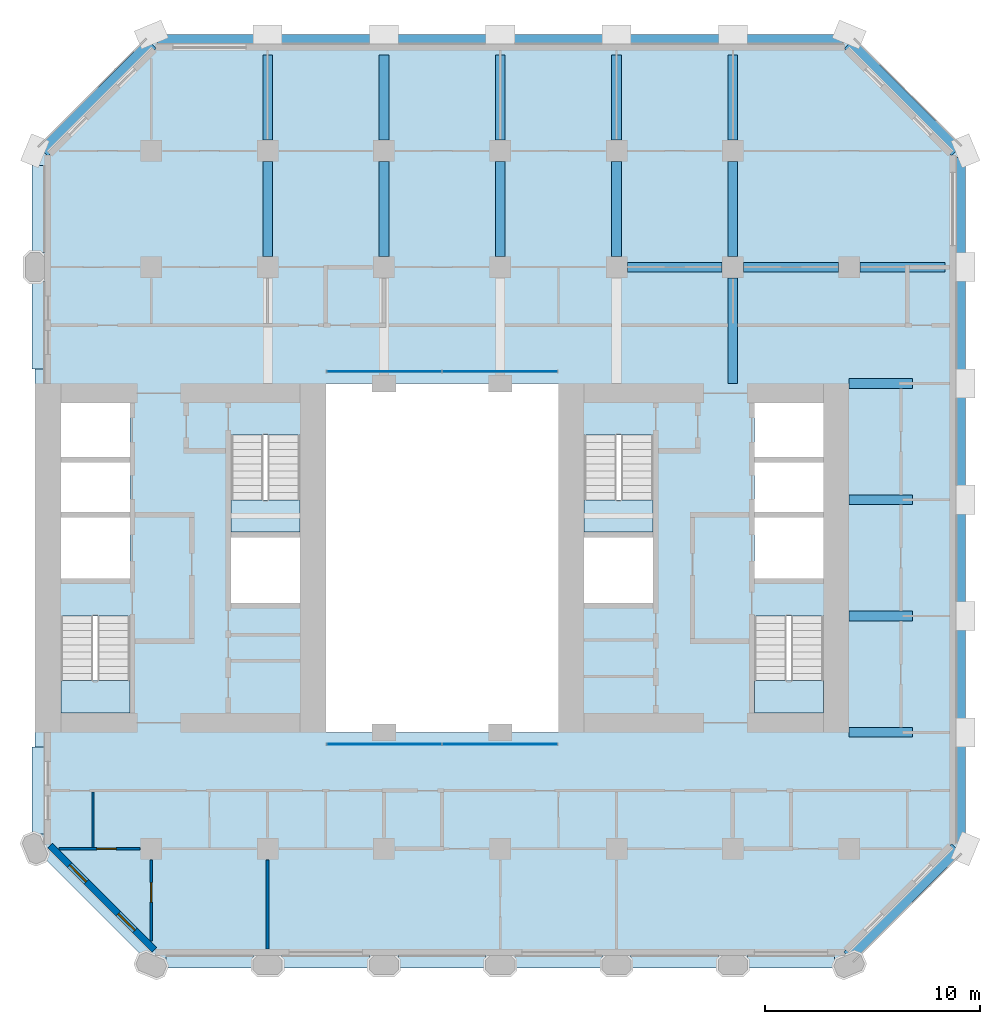
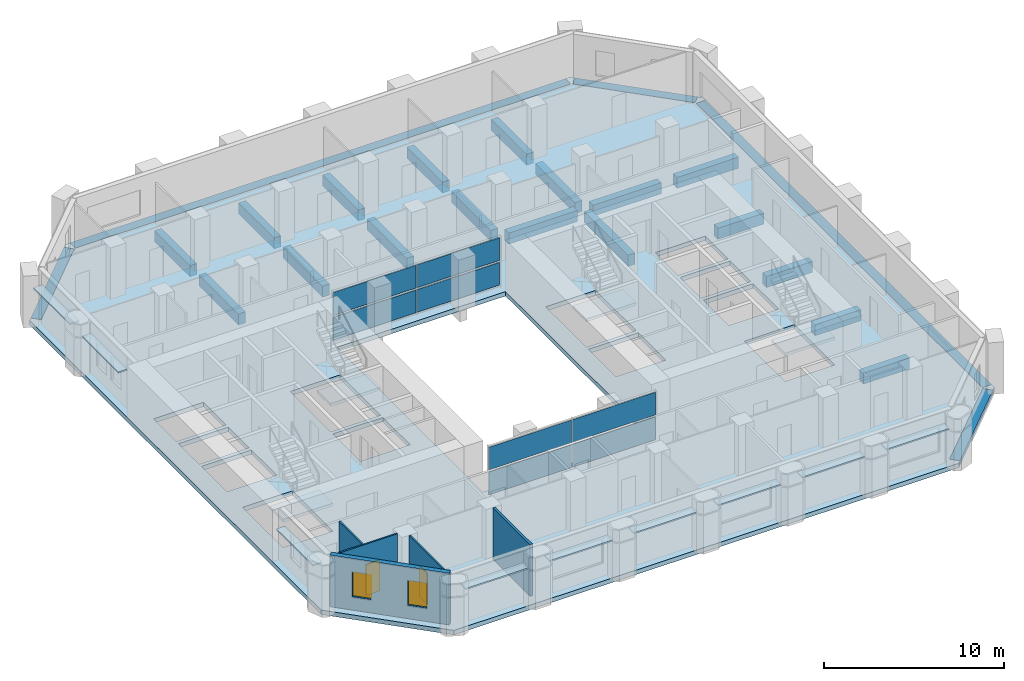
# One storey, part 3 of 10: 23 beams, 17 plates, 5 slabs, 5 walls, 2 doors, 2 windows, 4 openings, 6 elements without a shape of their own.
"""IFC4 building model written with IfcOpenShell, lengths in metres."""

from ifc_helpers import new_model, si_unit, direction, frame, frame_2d, origin, origin_2d, place, context, subcontext, project, spatial, polyline, rectangle, outline, extrude, material, layer, layer_set, material_profile, profile_set, type_object, element, fill, aggregate, save


model = new_model("IFC4")

# Units and contexts
model_context = context("Model", 3, precision=1e-05, world=origin(), true_north=direction((0.0, 1.0)))
body_context = subcontext(model_context, "Body", "Model", "MODEL_VIEW")
ifc_project = project(units=[si_unit("LENGTHUNIT", "METRE"), si_unit("AREAUNIT", "SQUARE_METRE"), si_unit("VOLUMEUNIT", "CUBIC_METRE"), si_unit("PLANEANGLEUNIT", "RADIAN"), si_unit("MASSUNIT", "GRAM", prefix="KILO")], contexts=[model_context])

# Site, building, storey
site_placement = place(None, origin())
site = spatial("IfcSite", under=ifc_project, at=site_placement, CompositionType="ELEMENT")
building_placement = place(site_placement, origin())
building = spatial("IfcBuilding", under=site, at=building_placement, Name="Tabaq Tower and Sports Hall", CompositionType="ELEMENT")
storey_placement = place(building_placement, frame((0.0, 0.0, 68.800048828125)))
storey = spatial("IfcBuildingStorey", under=building, at=storey_placement, Name="L15", CompositionType="ELEMENT", Elevation=68.800048828125)

# Beams
ifc_material_1 = material(Name="Concrete C40/50", Category="concrete")
ifc_material_profile_1 = material_profile(ifc_material_1, rectangle(XDim=0.449951171875, YDim=0.75, at=origin_2d()), Name="CB 450x750")
ifc_profile_set_1 = profile_set([ifc_material_profile_1], Name="Concrete C40/50")
beam_type_1 = type_object("IfcBeamType", Name="PT CANTILEVER BEAM CB 450x750 C40/50", PredefinedType="BEAM", material=ifc_profile_set_1)
for number, where, z_axis, x_axis, name in (
    (1, (46.14990234375, 16.199951171875, -0.675048828125), (-1.0, 0.0, 0.0), (0.0, -1.0, 0.0), "Cantilever Beam L15 E3 span 1"),
    (2, (46.14990234375, 21.60009765625, -0.675048828125), (-1.0, 0.0, 0.0), (0.0, -1.0, 0.0), "Cantilever Beam L15 E4 span 1"),
    (3, (46.14990234375, 27.0, -0.675048828125), (-1.0, 0.0, 0.0), (0.0, -1.0, 0.0), "Cantilever Beam L15 E5 span 1"),
    (4, (46.14990234375, 32.39990234375, -0.675048828125), (-1.0, 0.0, 0.0), (0.0, -1.0, 0.0), "Cantilever Beam L15 E6 span 1"),
):
    element("IfcBeam", number, at=place(storey_placement, frame(where, z_axis=z_axis, x_axis=x_axis)), inside=storey, type_object=beam_type_1, Name=name, PredefinedType="BEAM", context=body_context, shape_type="SweptSolid", body=[
        extrude(rectangle(XDim=0.449951171875, YDim=0.75, at=origin_2d()), origin(), (0.0, 0.0, 1.0), 2.949951171875),
    ])
beam_1_placement = place(storey_placement, frame((47.64990234375, 37.800048828125, -0.675048828125), z_axis=(-1.0, 0.0, 0.0), x_axis=(0.0, -1.0, 0.0)))
element("IfcBeam", 5, at=beam_1_placement, inside=storey, type_object=beam_type_1, Name="Cantilever Beam L15 E7 span 1", PredefinedType="BEAM", context=body_context, shape_type="SweptSolid", body=[
    extrude(rectangle(XDim=0.449951171875, YDim=0.75, at=origin_2d()), origin(), (0.0, 0.0, 1.0), 3.949951171875),
])
beam_2_placement = place(storey_placement, frame((42.699951171875, 37.800048828125, -0.675048828125), z_axis=(-1.0, 0.0, 0.0), x_axis=(0.0, -1.0, 0.0)))
element("IfcBeam", 6, at=beam_2_placement, inside=storey, type_object=beam_type_1, Name="Cantilever Beam L15 E7 span 2", PredefinedType="BEAM", context=body_context, shape_type="SweptSolid", body=[
    extrude(rectangle(XDim=0.449951171875, YDim=0.75, at=origin_2d()), origin(), (0.0, 0.0, 1.0), 4.39990234375),
])
beam_3_placement = place(storey_placement, frame((37.300048828125, 37.800048828125, -0.675048828125), z_axis=(-1.0, 0.0, 0.0), x_axis=(0.0, -1.0, 0.0)))
element("IfcBeam", 7, at=beam_3_placement, inside=storey, type_object=beam_type_1, Name="Cantilever Beam L15 E7 span 3", PredefinedType="BEAM", context=body_context, shape_type="SweptSolid", body=[
    extrude(rectangle(XDim=0.449951171875, YDim=0.75, at=origin_2d()), origin(), (0.0, 0.0, 1.0), 4.400146484375),
])
beam_4_placement = place(storey_placement, frame((16.199951171875, 47.64990234375, -0.675048828125), z_axis=(0.0, -1.0, 0.0), x_axis=(1.0, 0.0, 0.0)))
element("IfcBeam", 8, at=beam_4_placement, inside=storey, type_object=beam_type_1, Name="Cantilever Beam L15 N3 span 1", PredefinedType="BEAM", context=body_context, shape_type="SweptSolid", body=[
    extrude(rectangle(XDim=0.449951171875, YDim=0.75, at=origin_2d()), origin(), (0.0, 0.0, 1.0), 3.949951171875),
])
beam_5_placement = place(storey_placement, frame((16.199951171875, 42.699951171875, -0.675048828125), z_axis=(0.0, -1.0, 0.0), x_axis=(1.0, 0.0, 0.0)))
element("IfcBeam", 9, at=beam_5_placement, inside=storey, type_object=beam_type_1, Name="Cantilever Beam L15 N3 span 2", PredefinedType="BEAM", context=body_context, shape_type="SweptSolid", body=[
    extrude(rectangle(XDim=0.449951171875, YDim=0.75, at=origin_2d()), origin(), (0.0, 0.0, 1.0), 4.39990234375),
])
beam_6_placement = place(storey_placement, frame((21.60009765625, 47.64990234375, -0.675048828125), z_axis=(0.0, -1.0, 0.0), x_axis=(1.0, 0.0, 0.0)))
element("IfcBeam", 10, at=beam_6_placement, inside=storey, type_object=beam_type_1, Name="Cantilever Beam L15 N4 span 1", PredefinedType="BEAM", context=body_context, shape_type="SweptSolid", body=[
    extrude(rectangle(XDim=0.449951171875, YDim=0.75, at=origin_2d()), origin(), (0.0, 0.0, 1.0), 3.949951171875),
])
beam_7_placement = place(storey_placement, frame((21.60009765625, 42.699951171875, -0.675048828125), z_axis=(0.0, -1.0, 0.0), x_axis=(1.0, 0.0, 0.0)))
element("IfcBeam", 11, at=beam_7_placement, inside=storey, type_object=beam_type_1, Name="Cantilever Beam L15 N4 span 2", PredefinedType="BEAM", context=body_context, shape_type="SweptSolid", body=[
    extrude(rectangle(XDim=0.449951171875, YDim=0.75, at=origin_2d()), origin(), (0.0, 0.0, 1.0), 4.39990234375),
])
beam_8_placement = place(storey_placement, frame((27.0, 47.64990234375, -0.675048828125), z_axis=(0.0, -1.0, 0.0), x_axis=(1.0, 0.0, 0.0)))
element("IfcBeam", 12, at=beam_8_placement, inside=storey, type_object=beam_type_1, Name="Cantilever Beam L15 N5 span 1", PredefinedType="BEAM", context=body_context, shape_type="SweptSolid", body=[
    extrude(rectangle(XDim=0.449951171875, YDim=0.75, at=origin_2d()), origin(), (0.0, 0.0, 1.0), 3.949951171875),
])
beam_9_placement = place(storey_placement, frame((27.0, 42.699951171875, -0.675048828125), z_axis=(0.0, -1.0, 0.0), x_axis=(1.0, 0.0, 0.0)))
element("IfcBeam", 13, at=beam_9_placement, inside=storey, type_object=beam_type_1, Name="Cantilever Beam L15 N5 span 2", PredefinedType="BEAM", context=body_context, shape_type="SweptSolid", body=[
    extrude(rectangle(XDim=0.449951171875, YDim=0.75, at=origin_2d()), origin(), (0.0, 0.0, 1.0), 4.39990234375),
])
beam_10_placement = place(storey_placement, frame((32.39990234375, 47.64990234375, -0.675048828125), z_axis=(0.0, -1.0, 0.0), x_axis=(1.0, 0.0, 0.0)))
element("IfcBeam", 14, at=beam_10_placement, inside=storey, type_object=beam_type_1, Name="Cantilever Beam L15 N6 span 1", PredefinedType="BEAM", context=body_context, shape_type="SweptSolid", body=[
    extrude(rectangle(XDim=0.449951171875, YDim=0.75, at=origin_2d()), origin(), (0.0, 0.0, 1.0), 3.949951171875),
])
beam_11_placement = place(storey_placement, frame((32.39990234375, 42.699951171875, -0.675048828125), z_axis=(0.0, -1.0, 0.0), x_axis=(1.0, 0.0, 0.0)))
element("IfcBeam", 15, at=beam_11_placement, inside=storey, type_object=beam_type_1, Name="Cantilever Beam L15 N6 span 2", PredefinedType="BEAM", context=body_context, shape_type="SweptSolid", body=[
    extrude(rectangle(XDim=0.449951171875, YDim=0.75, at=origin_2d()), origin(), (0.0, 0.0, 1.0), 4.39990234375),
])
beam_12_placement = place(storey_placement, frame((37.800048828125, 47.64990234375, -0.675048828125), z_axis=(0.0, -1.0, 0.0), x_axis=(1.0, 0.0, 0.0)))
element("IfcBeam", 16, at=beam_12_placement, inside=storey, type_object=beam_type_1, Name="Cantilever Beam L15 N7 span 1", PredefinedType="BEAM", context=body_context, shape_type="SweptSolid", body=[
    extrude(rectangle(XDim=0.449951171875, YDim=0.75, at=origin_2d()), origin(), (0.0, 0.0, 1.0), 3.949951171875),
])
beam_13_placement = place(storey_placement, frame((37.800048828125, 42.699951171875, -0.675048828125), z_axis=(0.0, -1.0, 0.0), x_axis=(1.0, 0.0, 0.0)))
element("IfcBeam", 17, at=beam_13_placement, inside=storey, type_object=beam_type_1, Name="Cantilever Beam L15 N7 span 2", PredefinedType="BEAM", context=body_context, shape_type="SweptSolid", body=[
    extrude(rectangle(XDim=0.449951171875, YDim=0.75, at=origin_2d()), origin(), (0.0, 0.0, 1.0), 4.39990234375),
])
beam_14_placement = place(storey_placement, frame((37.800048828125, 37.300048828125, -0.675048828125), z_axis=(0.0, -1.0, 0.0), x_axis=(1.0, 0.0, 0.0)))
element("IfcBeam", 18, at=beam_14_placement, inside=storey, type_object=beam_type_1, Name="Cantilever Beam L15 N7 span 3", PredefinedType="BEAM", context=body_context, shape_type="SweptSolid", body=[
    extrude(rectangle(XDim=0.449951171875, YDim=0.75, at=origin_2d()), origin(), (0.0, 0.0, 1.0), 4.900146484375),
])
ifc_material_2 = material(Name="Concrete C40/50", Category="concrete")
ifc_material_profile_2 = material_profile(ifc_material_2, rectangle(XDim=0.60009765625, YDim=0.300048828125, at=origin_2d()), Name="EB 600x300")
ifc_profile_set_2 = profile_set([ifc_material_profile_2], Name="Concrete C40/50")
beam_type_2 = type_object("IfcBeamType", Name="PT EDGE BEAM EB 600x300 C40/50", PredefinedType="SPANDREL", material=ifc_profile_set_2)
beam_15_placement = place(storey_placement, frame((43.16455078125, 5.788818359375, -0.150146484375), z_axis=(0.707106781187, 0.707106781187, 0.0), x_axis=(-0.707106781187, 0.707106781187, 0.0)))
element("IfcBeam", 19, at=beam_15_placement, inside=storey, type_object=beam_type_2, Name="Edge Beam L15 1", PredefinedType="SPANDREL", context=body_context, shape_type="SweptSolid", body=[
    extrude(rectangle(XDim=0.60009765625, YDim=0.300048828125, at=origin_2d()), origin(), (0.0, 0.0, 1.0), 7.08837890625),
])
beam_16_placement = place(storey_placement, frame((48.300048828125, 11.0986328125, -0.150146484375), z_axis=(0.0, 1.0, 0.0), x_axis=(-1.0, 0.0, 0.0)))
element("IfcBeam", 20, at=beam_16_placement, inside=storey, type_object=beam_type_2, Name="Edge Beam L15 2", PredefinedType="SPANDREL", context=body_context, shape_type="SweptSolid", body=[
    extrude(rectangle(XDim=0.60009765625, YDim=0.300048828125, at=origin_2d()), origin(), (0.0, 0.0, 1.0), 31.802734375),
])
beam_17_placement = place(storey_placement, frame((48.1767578125, 43.198974609375, -0.150146484375), z_axis=(-0.707106781187, 0.707106781187, 0.0), x_axis=(-0.707106781187, -0.707106781187, 0.0)))
element("IfcBeam", 21, at=beam_17_placement, inside=storey, type_object=beam_type_2, Name="Edge Beam L15 3", PredefinedType="SPANDREL", context=body_context, shape_type="SweptSolid", body=[
    extrude(rectangle(XDim=0.60009765625, YDim=0.300048828125, at=origin_2d()), origin(), (0.0, 0.0, 1.0), 7.03955078125),
])
beam_18_placement = place(storey_placement, frame((42.9013671875, 48.300048828125, -0.150146484375), z_axis=(-1.0, 0.0, 0.0), x_axis=(0.0, -1.0, 0.0)))
element("IfcBeam", 22, at=beam_18_placement, inside=storey, type_object=beam_type_2, Name="Edge Beam L15 4", PredefinedType="SPANDREL", context=body_context, shape_type="SweptSolid", body=[
    extrude(rectangle(XDim=0.60009765625, YDim=0.300048828125, at=origin_2d()), origin(), (0.0, 0.0, 1.0), 31.802734375),
])
beam_19_placement = place(storey_placement, frame((10.801025390625, 48.1767578125, -0.150146484375), z_axis=(-0.707106781187, -0.707106781187, 0.0), x_axis=(0.707106781187, -0.707106781187, 0.0)))
element("IfcBeam", 23, at=beam_19_placement, inside=storey, type_object=beam_type_2, Name="Edge Beam L15 5", PredefinedType="SPANDREL", context=body_context, shape_type="SweptSolid", body=[
    extrude(rectangle(XDim=0.60009765625, YDim=0.300048828125, at=origin_2d()), origin(), (0.0, 0.0, 1.0), 7.08837890625),
])

# Curtain wall, plates
ifc_material_3 = material(Name="Aluminium alloy 6063-T6 framed glazing", Category="aluminium")
curtain_wall_type = type_object("IfcCurtainWallType", Name="CW1 curtain wall", PredefinedType="USERDEFINED", material=ifc_material_3)
curtain_wall_1_placement = place(storey_placement, origin())
curtain_wall_1 = element("IfcCurtainWall", 24, at=curtain_wall_1_placement, inside=storey, type_object=curtain_wall_type, Name="Atrium glazing L15 S", ObjectType="ATRIUM ENCLOSURE", PredefinedType="USERDEFINED")
ifc_material_4 = material(Name="Clear low-emissivity glass 28 mm", Category="glass")
ifc_layer_1 = layer(ifc_material_4, 0.028076171875)
ifc_layer_set_1 = layer_set([ifc_layer_1], Name="CW1 glass panel 28")
plate_type_1 = type_object("IfcPlateType", Name="CW1 glass panel 28", PredefinedType="CURTAIN_PANEL", material=ifc_layer_set_1)
plate_1_placement = place(storey_placement, frame((21.614990234375, 15.64990234375, 0.139892578125), z_axis=(0.0, 0.0, 1.0), x_axis=(1.0, 0.0, 0.0)))
plate_1 = element("IfcPlate", 25, at=plate_1_placement, type_object=plate_type_1, Name="CW1 panel 1.1", PredefinedType="CURTAIN_PANEL", context=body_context, shape_type="SweptSolid", body=[
    extrude(rectangle(XDim=5.31005859375, YDim=0.028076171875, at=origin_2d()), origin(), (0.0, 0.0, 1.0), 1.5400390625),
])
plate_2_placement = place(storey_placement, frame((21.614990234375, 15.64990234375, 1.81982421875), z_axis=(0.0, 0.0, 1.0), x_axis=(1.0, 0.0, 0.0)))
plate_2 = element("IfcPlate", 26, at=plate_2_placement, type_object=plate_type_1, Name="CW1 panel 1.2", PredefinedType="CURTAIN_PANEL", context=body_context, shape_type="SweptSolid", body=[
    extrude(rectangle(XDim=5.31005859375, YDim=0.028076171875, at=origin_2d()), origin(), (0.0, 0.0, 1.0), 1.5400390625),
])
plate_3_placement = place(storey_placement, frame((26.985107421875, 15.64990234375, 0.139892578125), z_axis=(0.0, 0.0, 1.0), x_axis=(1.0, 0.0, 0.0)))
plate_3 = element("IfcPlate", 27, at=plate_3_placement, type_object=plate_type_1, Name="CW1 panel 2.1", PredefinedType="CURTAIN_PANEL", context=body_context, shape_type="SweptSolid", body=[
    extrude(rectangle(XDim=5.31005859375, YDim=0.028076171875, at=origin_2d()), origin(), (0.0, 0.0, 1.0), 1.5400390625),
])
plate_4_placement = place(storey_placement, frame((26.985107421875, 15.64990234375, 1.81982421875), z_axis=(0.0, 0.0, 1.0), x_axis=(1.0, 0.0, 0.0)))
plate_4 = element("IfcPlate", 28, at=plate_4_placement, type_object=plate_type_1, Name="CW1 panel 2.2", PredefinedType="CURTAIN_PANEL", context=body_context, shape_type="SweptSolid", body=[
    extrude(rectangle(XDim=5.31005859375, YDim=0.028076171875, at=origin_2d()), origin(), (0.0, 0.0, 1.0), 1.5400390625),
])
aggregate(curtain_wall_1, [plate_1, plate_2, plate_3, plate_4])

curtain_wall_2_placement = place(storey_placement, origin())
curtain_wall_2 = element("IfcCurtainWall", 29, at=curtain_wall_2_placement, inside=storey, type_object=curtain_wall_type, Name="Atrium glazing L15 N", ObjectType="ATRIUM ENCLOSURE", PredefinedType="USERDEFINED")
plate_5_placement = place(storey_placement, frame((21.614990234375, 32.949951171875, 0.139892578125), z_axis=(0.0, 0.0, 1.0), x_axis=(1.0, 0.0, 0.0)))
plate_5 = element("IfcPlate", 30, at=plate_5_placement, type_object=plate_type_1, Name="CW1 panel 1.1", PredefinedType="CURTAIN_PANEL", context=body_context, shape_type="SweptSolid", body=[
    extrude(rectangle(XDim=5.31005859375, YDim=0.028076171875, at=origin_2d()), origin(), (0.0, 0.0, 1.0), 1.5400390625),
])
plate_6_placement = place(storey_placement, frame((21.614990234375, 32.949951171875, 1.81982421875), z_axis=(0.0, 0.0, 1.0), x_axis=(1.0, 0.0, 0.0)))
plate_6 = element("IfcPlate", 31, at=plate_6_placement, type_object=plate_type_1, Name="CW1 panel 1.2", PredefinedType="CURTAIN_PANEL", context=body_context, shape_type="SweptSolid", body=[
    extrude(rectangle(XDim=5.31005859375, YDim=0.028076171875, at=origin_2d()), origin(), (0.0, 0.0, 1.0), 1.5400390625),
])
plate_7_placement = place(storey_placement, frame((26.985107421875, 32.949951171875, 0.139892578125), z_axis=(0.0, 0.0, 1.0), x_axis=(1.0, 0.0, 0.0)))
plate_7 = element("IfcPlate", 32, at=plate_7_placement, type_object=plate_type_1, Name="CW1 panel 2.1", PredefinedType="CURTAIN_PANEL", context=body_context, shape_type="SweptSolid", body=[
    extrude(rectangle(XDim=5.31005859375, YDim=0.028076171875, at=origin_2d()), origin(), (0.0, 0.0, 1.0), 1.5400390625),
])
plate_8_placement = place(storey_placement, frame((26.985107421875, 32.949951171875, 1.81982421875), z_axis=(0.0, 0.0, 1.0), x_axis=(1.0, 0.0, 0.0)))
plate_8 = element("IfcPlate", 33, at=plate_8_placement, type_object=plate_type_1, Name="CW1 panel 2.2", PredefinedType="CURTAIN_PANEL", context=body_context, shape_type="SweptSolid", body=[
    extrude(rectangle(XDim=5.31005859375, YDim=0.028076171875, at=origin_2d()), origin(), (0.0, 0.0, 1.0), 1.5400390625),
])
aggregate(curtain_wall_2, [plate_5, plate_6, plate_7, plate_8])

# Stair, slab
ifc_material_5 = material(Name="Concrete C40/50", Category="concrete")
stair_type = type_object("IfcStairType", Name="Exit stair", PredefinedType="HALF_TURN_STAIR", material=ifc_material_5)
stair_1_placement = place(storey_placement, origin())
stair_1 = element("IfcStair", 34, at=stair_1_placement, inside=storey, type_object=stair_type, Name="L15 Exit stair ST1", PredefinedType="HALF_TURN_STAIR")
ifc_material_6 = material(Name="Concrete C40/50", Category="concrete")
ifc_layer_2 = layer(ifc_material_6, 0.199951171875)
ifc_layer_set_2 = layer_set([ifc_layer_2], Name="Exit stair landing")
slab_type_1 = type_object("IfcSlabType", Name="Exit stair landing", PredefinedType="LANDING", material=ifc_layer_set_2)
slab_1_placement = place(storey_placement, frame((0.0, 0.0, 1.699951171875)))
slab_1 = element("IfcSlab", 35, at=slab_1_placement, type_object=slab_type_1, Name="ST1 landing 1", PredefinedType="LANDING", context=body_context, shape_type="SweptSolid", body=[
    extrude(outline(polyline([(6.60009765625, 18.60009765625), (6.60009765625, 17.10009765625), (9.800048828125, 17.10009765625), (9.800048828125, 18.60009765625), (6.60009765625, 18.60009765625)])), origin(), (0.0, 0.0, 1.0), 0.199951171875),
])
aggregate(stair_1, [slab_1])

stair_2_placement = place(storey_placement, origin())
stair_2 = element("IfcStair", 36, at=stair_2_placement, inside=storey, type_object=stair_type, Name="L15 Exit stair ST2", PredefinedType="HALF_TURN_STAIR")
slab_2_placement = place(storey_placement, frame((0.0, 0.0, 1.699951171875)))
slab_2 = element("IfcSlab", 37, at=slab_2_placement, type_object=slab_type_1, Name="ST2 landing 1", PredefinedType="LANDING", context=body_context, shape_type="SweptSolid", body=[
    extrude(outline(polyline([(14.5, 27.0), (14.5, 25.5), (17.699951171875, 25.5), (17.699951171875, 27.0), (14.5, 27.0)])), origin(), (0.0, 0.0, 1.0), 0.199951171875),
])
aggregate(stair_2, [slab_2])

stair_3_placement = place(storey_placement, origin())
stair_3 = element("IfcStair", 38, at=stair_3_placement, inside=storey, type_object=stair_type, Name="L15 Exit stair ST3", PredefinedType="HALF_TURN_STAIR")
slab_3_placement = place(storey_placement, frame((0.0, 0.0, 1.699951171875)))
slab_3 = element("IfcSlab", 39, at=slab_3_placement, type_object=slab_type_1, Name="ST3 landing 1", PredefinedType="LANDING", context=body_context, shape_type="SweptSolid", body=[
    extrude(outline(polyline([(38.800048828125, 18.60009765625), (38.800048828125, 17.10009765625), (42.0, 17.10009765625), (42.0, 18.60009765625), (38.800048828125, 18.60009765625)])), origin(), (0.0, 0.0, 1.0), 0.199951171875),
])
aggregate(stair_3, [slab_3])

stair_4_placement = place(storey_placement, origin())
stair_4 = element("IfcStair", 40, at=stair_4_placement, inside=storey, type_object=stair_type, Name="L15 Exit stair ST4", PredefinedType="HALF_TURN_STAIR")
slab_4_placement = place(storey_placement, frame((0.0, 0.0, 1.699951171875)))
slab_4 = element("IfcSlab", 41, at=slab_4_placement, type_object=slab_type_1, Name="ST4 landing 1", PredefinedType="LANDING", context=body_context, shape_type="SweptSolid", body=[
    extrude(outline(polyline([(30.89990234375, 27.0), (30.89990234375, 25.5), (34.10009765625, 25.5), (34.10009765625, 27.0), (30.89990234375, 27.0)])), origin(), (0.0, 0.0, 1.0), 0.199951171875),
])
aggregate(stair_4, [slab_4])

# Slab
ifc_material_7 = material(Name="Concrete C40/50", Category="concrete")
ifc_layer_3 = layer(ifc_material_7, 0.300048828125)
ifc_layer_set_3 = layer_set([ifc_layer_3], Name="PT FLOOR SLAB 300 C40/50")
slab_type_2 = type_object("IfcSlabType", Name="PT FLOOR SLAB 300 C40/50", PredefinedType="FLOOR", material=ifc_layer_set_3)
slab_5_placement = place(storey_placement, frame((0.0, 0.0, -0.300048828125)))
element("IfcSlab", 42, at=slab_5_placement, inside=storey, type_object=slab_type_2, Name="Floor Slab L15", PredefinedType="FLOOR", context=body_context, shape_type="SweptSolid", body=[
    extrude(outline(polyline([(5.39990234375, 43.199951171875), (5.39990234375, 10.800048828125), (10.800048828125, 5.39990234375), (43.199951171875, 5.39990234375), (43.376708984375, 5.57666015625), (42.952392578125, 6.0009765625), (47.964599609375, 11.01318359375), (48.035400390625, 10.9423828125), (48.388916015625, 10.5888671875), (48.60009765625, 10.800048828125), (48.60009765625, 11.0986328125), (48.10009765625, 11.0986328125), (48.0, 11.0986328125), (48.0, 42.9013671875), (48.10009765625, 42.9013671875), (48.60009765625, 42.9013671875), (48.60009765625, 43.199951171875), (48.388916015625, 43.4111328125), (48.035400390625, 43.0576171875), (47.964599609375, 42.98681640625), (42.98681640625, 47.964599609375), (43.0576171875, 48.035400390625), (43.4111328125, 48.388916015625), (43.199951171875, 48.60009765625), (42.9013671875, 48.60009765625), (42.9013671875, 48.10009765625), (42.9013671875, 48.0), (11.0986328125, 48.0), (11.0986328125, 48.10009765625), (11.0986328125, 48.60009765625), (10.800048828125, 48.60009765625), (10.5888671875, 48.388916015625), (10.9423828125, 48.035400390625), (11.01318359375, 47.964599609375), (6.0009765625, 42.952392578125), (5.57666015625, 43.376708984375), (5.39990234375, 43.199951171875)]), holes=[polyline([(6.60009765625, 21.599365234375), (9.800048828125, 21.599365234375), (9.800048828125, 17.10009765625), (6.60009765625, 17.10009765625), (6.60009765625, 21.599365234375)]), polyline([(17.699951171875, 25.25), (17.699951171875, 22.199951171875), (14.5, 22.199951171875), (14.5, 25.25), (17.699951171875, 25.25)]), polyline([(18.89990234375, 32.39990234375), (29.699951171875, 32.39990234375), (29.699951171875, 16.199951171875), (18.89990234375, 16.199951171875), (18.89990234375, 32.39990234375)]), polyline([(6.60009765625, 26.175048828125), (9.800048828125, 26.175048828125), (9.800048828125, 23.35009765625), (6.60009765625, 23.35009765625), (6.60009765625, 26.175048828125)]), polyline([(9.800048828125, 28.72509765625), (9.800048828125, 26.425048828125), (6.60009765625, 26.425048828125), (6.60009765625, 28.72509765625), (9.800048828125, 28.72509765625)]), polyline([(17.699951171875, 29.99951171875), (17.699951171875, 25.5), (14.5, 25.5), (14.5, 29.99951171875), (17.699951171875, 29.99951171875)]), polyline([(6.60009765625, 31.5), (9.800048828125, 31.5), (9.800048828125, 28.97509765625), (6.60009765625, 28.97509765625), (6.60009765625, 31.5)]), polyline([(42.0, 21.599365234375), (42.0, 17.10009765625), (38.800048828125, 17.10009765625), (38.800048828125, 21.599365234375), (42.0, 21.599365234375)]), polyline([(34.10009765625, 25.25), (34.10009765625, 22.199951171875), (30.89990234375, 22.199951171875), (30.89990234375, 25.25), (34.10009765625, 25.25)]), polyline([(42.0, 26.175048828125), (42.0, 23.35009765625), (38.800048828125, 23.35009765625), (38.800048828125, 26.175048828125), (42.0, 26.175048828125)]), polyline([(42.0, 28.72509765625), (42.0, 26.425048828125), (38.800048828125, 26.425048828125), (38.800048828125, 28.72509765625), (42.0, 28.72509765625)]), polyline([(34.10009765625, 29.99951171875), (34.10009765625, 25.5), (30.89990234375, 25.5), (30.89990234375, 29.99951171875), (34.10009765625, 29.99951171875)]), polyline([(42.0, 31.5), (42.0, 28.97509765625), (38.800048828125, 28.97509765625), (38.800048828125, 31.5), (42.0, 31.5)])]), origin(), (0.0, 0.0, 1.0), 0.300048828125),
])

# Plates
ifc_material_8 = material(Name="White precast concrete C60/75 blade", Category="concrete")
ifc_layer_4 = layer(ifc_material_8, 0.10009765625)
ifc_layer_set_4 = layer_set([ifc_layer_4], Name="White precast concrete C60/75 sunshade 100")
plate_type_2 = type_object("IfcPlateType", Name="White precast concrete C60/75 sunshade 100", PredefinedType="USERDEFINED", material=ifc_layer_set_4)
for number, where, z_axis, x_axis, name in (
    (43, (13.5, 5.550048828125, 2.599853515625), (0.0, 0.0, 1.0), (1.0, 0.0, 0.0), "Sunshade L15 S"),
    (44, (18.89990234375, 5.550048828125, 2.599853515625), (0.0, 0.0, 1.0), (1.0, 0.0, 0.0), "Sunshade L15 S"),
    (45, (24.300048828125, 5.550048828125, 2.599853515625), (0.0, 0.0, 1.0), (1.0, 0.0, 0.0), "Sunshade L15 S"),
    (46, (29.699951171875, 5.550048828125, 2.599853515625), (0.0, 0.0, 1.0), (1.0, 0.0, 0.0), "Sunshade L15 S"),
    (47, (35.10009765625, 5.550048828125, 2.599853515625), (0.0, 0.0, 1.0), (1.0, 0.0, 0.0), "Sunshade L15 S"),
    (48, (40.5, 5.550048828125, 2.599853515625), (0.0, 0.0, 1.0), (1.0, 0.0, 0.0), "Sunshade L15 S"),
    (49, (5.550048828125, 40.5, 2.599853515625), (0.0, 0.0, 1.0), (0.0, -1.0, 0.0), "Sunshade L15 W"),
    (50, (5.550048828125, 35.10009765625, 2.599853515625), (0.0, 0.0, 1.0), (0.0, -1.0, 0.0), "Sunshade L15 W"),
    (51, (5.550048828125, 13.5, 2.599853515625), (0.0, 0.0, 1.0), (0.0, -1.0, 0.0), "Sunshade L15 W"),
):
    element("IfcPlate", number, at=place(storey_placement, frame(where, z_axis=z_axis, x_axis=x_axis)), inside=storey, type_object=plate_type_2, Name=name, ObjectType="SUNSHADE", PredefinedType="USERDEFINED", context=body_context, shape_type="SweptSolid", body=[
        extrude(rectangle(XDim=4.050048828125, YDim=0.60009765625, at=origin_2d()), origin(), (0.0, 0.0, 1.0), 0.10009765625),
    ])

# Wall
ifc_material_9 = material(Name="Gypsum board on steel studs", Category="steel")
ifc_layer_5 = layer(ifc_material_9, 0.10009765625)
ifc_layer_set_5 = layer_set([ifc_layer_5], Name="Partition 100 Gypsum board")
wall_type_1 = type_object("IfcWallType", Name="Partition 100 Gypsum board", PredefinedType="PARTITIONING", material=ifc_layer_set_5)
wall_1_placement = place(storey_placement, frame((8.10009765625, 10.85009765625, 0.0), z_axis=(0.0, 0.0, 1.0), x_axis=(0.0, 1.0, 0.0)))
element("IfcWall", 52, at=wall_1_placement, inside=storey, type_object=wall_type_1, Name="Partition wall L15", PredefinedType="PARTITIONING", context=body_context, shape_type="SweptSolid", body=[
    extrude(rectangle(XDim=2.574951171875, YDim=0.10009765625, at=frame_2d((1.28759765625, 0.0))), origin(), (0.0, 0.0, 1.0), 3.5),
])

# Wall, opening, door
wall_2_placement = place(storey_placement, frame((6.51220703125, 10.800048828125, 0.0), z_axis=(0.0, 0.0, 1.0), x_axis=(1.0, 0.0, 0.0)))
wall_2 = element("IfcWall", 53, at=wall_2_placement, inside=storey, type_object=wall_type_1, Name="Partition wall L15", PredefinedType="PARTITIONING", context=body_context, shape_type="SweptSolid", body=[
    extrude(rectangle(XDim=3.767822265625, YDim=0.10009765625, at=frame_2d((1.8837890625, 0.0))), origin(), (0.0, 0.0, 1.0), 3.5),
])
opening_1_placement = place(wall_2_placement, frame((1.7578125, 0.0, 0.0)))
opening_1 = element("IfcOpeningElement", 54, at=opening_1_placement, cuts=wall_2, Name="Opening L15-031", PredefinedType="OPENING", context=body_context, shape_type="SweptSolid", body=[
    extrude(rectangle(XDim=0.89990234375, YDim=2.10009765625, at=frame_2d((0.449951171875, 1.050048828125))), frame((0.0, 0.050048828125, 0.0), z_axis=(0.0, -1.0, 0.0), x_axis=(1.0, 0.0, 0.0)), (0.0, 0.0, 1.0), 0.10009765625),
])
ifc_material_10 = material(Name="Timber leaf in steel frame", Category="steel")
door_type_1 = type_object("IfcDoorType", Name="Internal door 900 right hand", OperationType="SINGLE_SWING_RIGHT", PredefinedType="DOOR", material=ifc_material_10)
door_1_placement = place(opening_1_placement, origin())
door_1 = element("IfcDoor", 55, at=door_1_placement, inside=storey, type_object=door_type_1, Name="Internal door L15-031", OperationType="SINGLE_SWING_RIGHT", OverallHeight=2.10009765625, OverallWidth=0.89990234375, PredefinedType="DOOR", context=body_context, shape_type="SweptSolid", body=[
    extrude(rectangle(XDim=0.89990234375, YDim=2.10009765625, at=frame_2d((0.449951171875, 1.050048828125))), frame((0.0, 0.02490234375, 0.0), z_axis=(0.0, -1.0, 0.0), x_axis=(1.0, 0.0, 0.0)), (0.0, 0.0, 1.0), 0.050048828125),
])
fill(opening_1, door_1)

wall_3_placement = place(storey_placement, frame((10.800048828125, 6.51220703125, 0.0), z_axis=(0.0, 0.0, 1.0), x_axis=(0.0, 1.0, 0.0)))
wall_3 = element("IfcWall", 56, at=wall_3_placement, inside=storey, type_object=wall_type_1, Name="Partition wall L15", PredefinedType="PARTITIONING", context=body_context, shape_type="SweptSolid", body=[
    extrude(rectangle(XDim=3.767822265625, YDim=0.10009765625, at=frame_2d((1.8837890625, 0.0))), origin(), (0.0, 0.0, 1.0), 3.5),
])
opening_2_placement = place(wall_3_placement, frame((1.81298828125, 0.0, 0.0)))
opening_2 = element("IfcOpeningElement", 57, at=opening_2_placement, cuts=wall_3, Name="Opening L15-024", PredefinedType="OPENING", context=body_context, shape_type="SweptSolid", body=[
    extrude(rectangle(XDim=0.89990234375, YDim=2.10009765625, at=frame_2d((0.449951171875, 1.050048828125))), frame((0.0, 0.050048828125, 0.0), z_axis=(0.0, -1.0, 0.0), x_axis=(1.0, 0.0, 0.0)), (0.0, 0.0, 1.0), 0.10009765625),
])
ifc_material_11 = material(Name="Timber leaf in steel frame", Category="steel")
door_type_2 = type_object("IfcDoorType", Name="Internal door 900 left hand", OperationType="SINGLE_SWING_LEFT", PredefinedType="DOOR", material=ifc_material_11)
door_2_placement = place(opening_2_placement, origin())
door_2 = element("IfcDoor", 58, at=door_2_placement, inside=storey, type_object=door_type_2, Name="Internal door L15-024", OperationType="SINGLE_SWING_LEFT", OverallHeight=2.10009765625, OverallWidth=0.89990234375, PredefinedType="DOOR", context=body_context, shape_type="SweptSolid", body=[
    extrude(rectangle(XDim=0.89990234375, YDim=2.10009765625, at=frame_2d((0.449951171875, 1.050048828125))), frame((0.0, 0.02490234375, 0.0), z_axis=(0.0, -1.0, 0.0), x_axis=(1.0, 0.0, 0.0)), (0.0, 0.0, 1.0), 0.050048828125),
])
fill(opening_2, door_2)

# Wall
ifc_material_12 = material(Name="Blockwork", Category="masonry")
ifc_layer_6 = layer(ifc_material_12, 0.14990234375)
ifc_layer_set_6 = layer_set([ifc_layer_6], Name="Separating wall 150 Blockwork")
wall_type_2 = type_object("IfcWallType", Name="Separating wall 150 Blockwork", PredefinedType="PARTITIONING", material=ifc_layer_set_6)
wall_4_placement = place(storey_placement, frame((16.199951171875, 6.15087890625, 0.0), z_axis=(0.0, 0.0, 1.0), x_axis=(0.0, 1.0, 0.0)))
element("IfcWall", 59, at=wall_4_placement, inside=storey, type_object=wall_type_2, Name="Separating wall L15", PredefinedType="PARTITIONING", context=body_context, shape_type="SweptSolid", body=[
    extrude(rectangle(XDim=4.129150390625, YDim=0.14990234375, at=frame_2d((2.064453125, 0.0))), origin(), (0.0, 0.0, 1.0), 3.5),
])

# Wall, openings, windows
ifc_material_13 = material(Name="White precast concrete C60/75", Category="concrete")
ifc_layer_7 = layer(ifc_material_13, 0.300048828125)
ifc_layer_set_7 = layer_set([ifc_layer_7], Name="White precast concrete C60/75 external wall 300")
wall_type_3 = type_object("IfcWallType", Name="White precast concrete C60/75 external wall 300", PredefinedType="SOLIDWALL", material=ifc_layer_set_7)
wall_5_placement = place(storey_placement, frame((6.098876953125, 10.949462890625, 0.0), z_axis=(0.0, 0.0, 1.0), x_axis=(0.707106781187, -0.707106781187, 0.0)))
wall_5 = element("IfcWall", 60, at=wall_5_placement, inside=storey, type_object=wall_type_3, Name="External Wall L15 SW", PredefinedType="SOLIDWALL", context=body_context, shape_type="SweptSolid", body=[
    extrude(rectangle(XDim=6.85986328125, YDim=0.300048828125, at=frame_2d((3.429931640625, 0.0))), origin(), (0.0, 0.0, 1.0), 3.5),
])
opening_3_placement = place(wall_5_placement, frame((1.27978515625, 0.0, 0.89990234375)))
opening_3 = element("IfcOpeningElement", 61, at=opening_3_placement, cuts=wall_5, Name="Opening W1B", PredefinedType="OPENING", context=body_context, shape_type="SweptSolid", body=[
    extrude(rectangle(XDim=1.10009765625, YDim=1.699951171875, at=frame_2d((0.550048828125, 0.85009765625))), frame((0.0, 0.16015625, 0.0), z_axis=(0.0, -1.0, 0.0), x_axis=(1.0, 0.0, 0.0)), (0.0, 0.0, 1.0), 0.320068359375),
])
opening_4_placement = place(wall_5_placement, frame((4.479736328125, 0.0, 0.89990234375)))
opening_4 = element("IfcOpeningElement", 62, at=opening_4_placement, cuts=wall_5, Name="Opening W1B", PredefinedType="OPENING", context=body_context, shape_type="SweptSolid", body=[
    extrude(rectangle(XDim=1.10009765625, YDim=1.699951171875, at=frame_2d((0.550048828125, 0.85009765625))), frame((0.0, 0.16015625, 0.0), z_axis=(0.0, -1.0, 0.0), x_axis=(1.0, 0.0, 0.0)), (0.0, 0.0, 1.0), 0.320068359375),
])
ifc_material_14 = material(Name="Aluminium framed clear glazing", Category="aluminium")
window_type = type_object("IfcWindowType", Name="Window W1B", PartitioningType="SINGLE_PANEL", PredefinedType="WINDOW", material=ifc_material_14)
window_1_placement = place(opening_3_placement, origin())
window_1 = element("IfcWindow", 63, at=window_1_placement, inside=storey, type_object=window_type, Name="Window W1B L15", OverallHeight=1.699951171875, OverallWidth=1.10009765625, PartitioningType="SINGLE_PANEL", PredefinedType="WINDOW", context=body_context, shape_type="SweptSolid", body=[
    extrude(rectangle(XDim=1.10009765625, YDim=1.699951171875, at=frame_2d((0.550048828125, 0.85009765625))), frame((0.0, 0.030029296875, 0.0), z_axis=(0.0, -1.0, 0.0), x_axis=(1.0, 0.0, 0.0)), (0.0, 0.0, 1.0), 0.06005859375),
])
fill(opening_3, window_1)
window_2_placement = place(opening_4_placement, origin())
window_2 = element("IfcWindow", 64, at=window_2_placement, inside=storey, type_object=window_type, Name="Window W1B L15", OverallHeight=1.699951171875, OverallWidth=1.10009765625, PartitioningType="SINGLE_PANEL", PredefinedType="WINDOW", context=body_context, shape_type="SweptSolid", body=[
    extrude(rectangle(XDim=1.10009765625, YDim=1.699951171875, at=frame_2d((0.550048828125, 0.85009765625))), frame((0.0, 0.030029296875, 0.0), z_axis=(0.0, -1.0, 0.0), x_axis=(1.0, 0.0, 0.0)), (0.0, 0.0, 1.0), 0.06005859375),
])
fill(opening_4, window_2)

save(model, "model.ifc")
